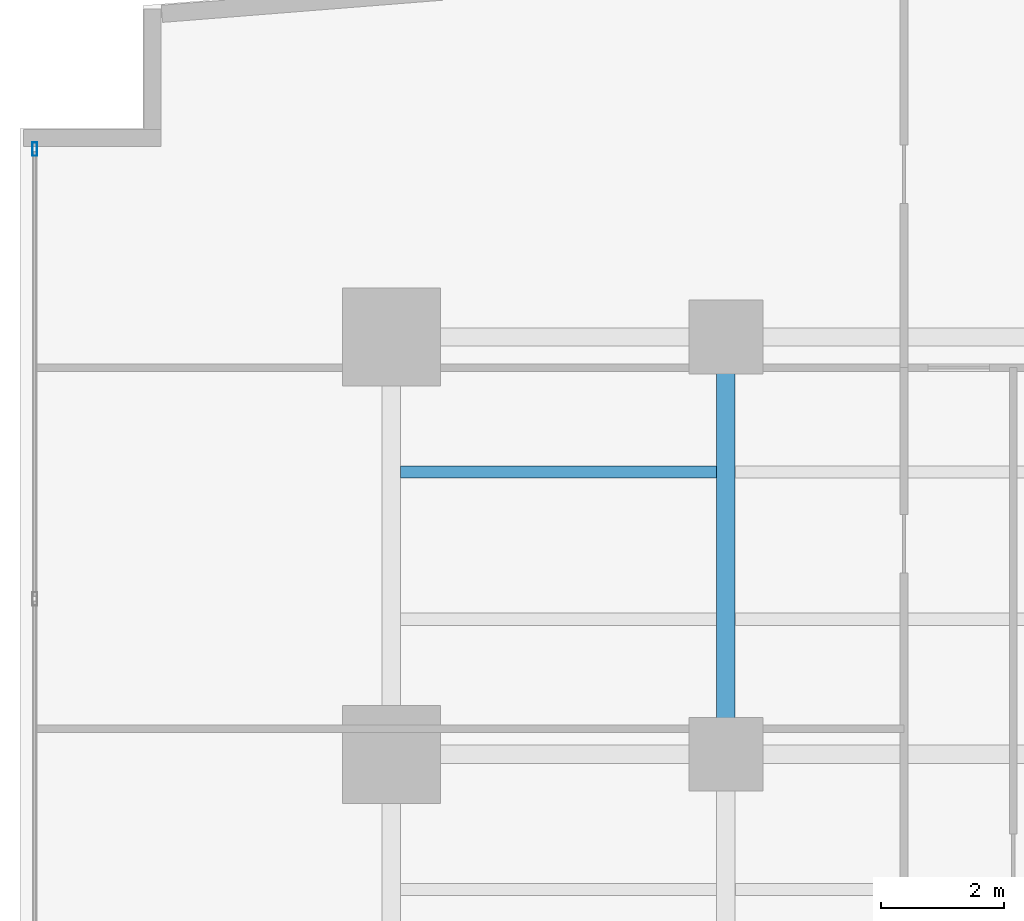
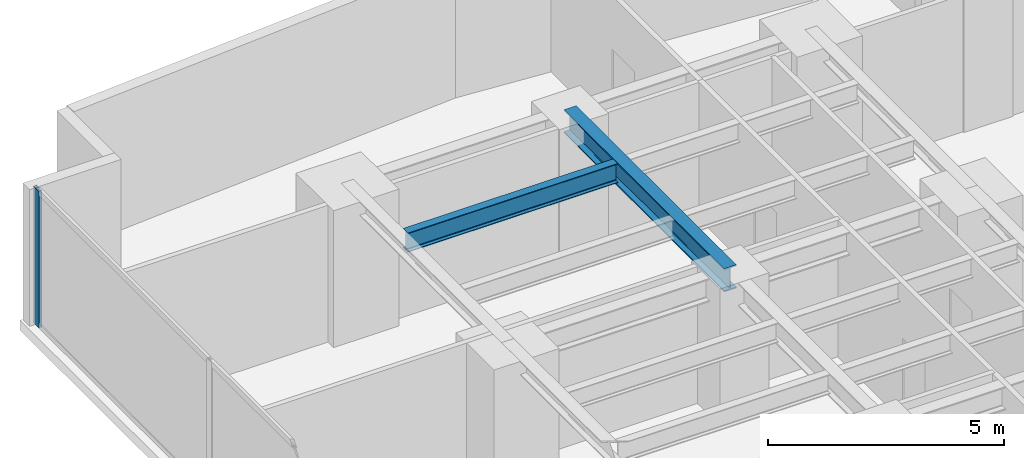
# One storey, part 17 of 28: 2 beams, 1 member, 1 element without a shape of its own.
"""IFC4 building model written with IfcOpenShell, lengths in metres."""

import ifcopenshell
import ifcopenshell.guid

model = None  # the IFC model being written
_history = None  # IfcOwnerHistory: only IFC2X3 demands one
_inside = {}  # id of a spatial element -> (the spatial element, [elements in it])
_under = {}  # id of a project, library or spatial element -> (it, [spatial elements below it])
_declared = {}  # id of a project -> (the project, [libraries it declares])
_typed = {}  # id of a type object -> (the type object, [elements of that type])
_made_of = {}  # id of a material, layer set ... -> (it, [elements and type objects made of it])


def new_model(schema):
    """Start an empty IFC model of exactly this schema.

    Asked for "IFC4X3", IfcOpenShell would pick the latest addendum, in which some entities
    have other attributes; the version numbers below select the first issue.
    IFC2X3 requires an IfcOwnerHistory on every rooted entity: one is made here for all.
    """
    global model, _history
    if schema == "IFC4X3":
        model = ifcopenshell.file(schema_version=(4, 3, 0, 0))
    else:
        model = ifcopenshell.file(schema=schema)
    _inside.clear()
    _under.clear()
    _declared.clear()
    _typed.clear()
    _made_of.clear()
    _history = None
    if model.schema == "IFC2X3":
        org = make("IfcOrganization", Name="unknown")
        user = make(
            "IfcPersonAndOrganization",
            ThePerson=make("IfcPerson", FamilyName="unknown"),
            TheOrganization=org,
        )
        app = make(
            "IfcApplication",
            ApplicationDeveloper=org,
            Version="unknown",
            ApplicationFullName="unknown",
            ApplicationIdentifier="unknown",
        )
        _history = make(
            "IfcOwnerHistory",
            OwningUser=user,
            OwningApplication=app,
            ChangeAction="ADDED",
            CreationDate=0,
        )
    return model


def make(cls, **values):
    """One entity of the class cls with the attributes given. An attribute that is None is left unset."""
    return model.create_entity(
        cls, **{name: value for name, value in values.items() if value is not None}
    )


def rooted(cls, **values):
    """An entity with a GlobalId (a new one), such as an element, a storey or a relation."""
    return make(cls, GlobalId=ifcopenshell.guid.new(), OwnerHistory=_history, **values)


def si_unit(unit_type, name, prefix=None):
    """IfcSIUnit, for example si_unit("LENGTHUNIT", "METRE", prefix="MILLI")."""
    return make("IfcSIUnit", UnitType=unit_type, Prefix=prefix, Name=name)


def assignment(units):
    """IfcUnitAssignment: the units of a project."""
    return None if units is None else make("IfcUnitAssignment", Units=units)


def point(xyz):
    """IfcCartesianPoint."""
    return None if xyz is None else make("IfcCartesianPoint", Coordinates=xyz)


def direction(xyz):
    """IfcDirection."""
    return None if xyz is None else make("IfcDirection", DirectionRatios=xyz)


def frame(location, z_axis=None, x_axis=None):
    """IfcAxis2Placement3D, a coordinate frame: its origin and axes. An axis left out is left unset."""
    return make(
        "IfcAxis2Placement3D",
        Location=point(location),
        Axis=direction(z_axis),
        RefDirection=direction(x_axis),
    )


def frame_2d(location, x_axis=None):
    """IfcAxis2Placement2D, a coordinate frame in the plane: its origin and x axis."""
    return make(
        "IfcAxis2Placement2D", Location=point(location), RefDirection=direction(x_axis)
    )


def origin():
    """The frame at (0, 0, 0) with its axes left unset."""
    return frame((0.0, 0.0, 0.0))


def origin_with_axes():
    """The frame at (0, 0, 0) with the z axis (0, 0, 1) and the x axis (1, 0, 0) written out."""
    return frame((0.0, 0.0, 0.0), z_axis=(0.0, 0.0, 1.0), x_axis=(1.0, 0.0, 0.0))


def origin_2d():
    """The frame at (0, 0) in the plane with its x axis left unset."""
    return frame_2d((0.0, 0.0))


def place(relative_to, where):
    """IfcLocalPlacement: puts the frame where relative to a parent placement (None: the world)."""
    return make(
        "IfcLocalPlacement", PlacementRelTo=relative_to, RelativePlacement=where
    )


def context(
    kind, dimensions, precision=None, world=None, true_north=None, identifier=None
):
    """IfcGeometricRepresentationContext, for example the 3D "Model" context."""
    return make(
        "IfcGeometricRepresentationContext",
        ContextIdentifier=identifier,
        ContextType=kind,
        CoordinateSpaceDimension=dimensions,
        Precision=precision,
        WorldCoordinateSystem=world,
        TrueNorth=true_north,
    )


def subcontext(parent, identifier, kind, view, scale=None):
    """IfcGeometricRepresentationSubContext, for example "Body" below "Model"."""
    return make(
        "IfcGeometricRepresentationSubContext",
        ContextIdentifier=identifier,
        ContextType=kind,
        ParentContext=parent,
        TargetScale=scale,
        TargetView=view,
    )


def project(units=None, contexts=None):
    """IfcProject with its units and contexts."""
    return rooted(
        "IfcProject",
        Name="project",
        RepresentationContexts=contexts,
        UnitsInContext=assignment(units),
    )


def spatial(cls, under=None, at=None, **own):
    """A site, building, storey or space (cls), placed at a placement, below another one or the project."""
    s = rooted(cls, ObjectPlacement=at, **own)
    if under is not None:
        _under.setdefault(under.id(), (under, []))[1].append(s)
    return s


def profile(cls, at=None, kind="AREA", **sizes):
    """A parametric profile (cls). Its sizes go by their IFC names, for example OverallWidth=200.0."""
    return make(cls, ProfileType=kind, Position=at, **sizes)


def hollow_rectangle(**sizes):
    """IfcRectangleHollowProfileDef."""
    return profile("IfcRectangleHollowProfileDef", **sizes)


def i_section(**sizes):
    """IfcIShapeProfileDef."""
    return profile("IfcIShapeProfileDef", **sizes)


def extrude(swept, where, along, depth):
    """IfcExtrudedAreaSolid: the profile swept, set in the frame where, extruded along a direction by depth."""
    return make(
        "IfcExtrudedAreaSolid",
        SweptArea=swept,
        Position=where,
        ExtrudedDirection=direction(along),
        Depth=depth,
    )


def shape(context_of_items, identifier, shape_type, items):
    """IfcShapeRepresentation: the items that make up one representation, for example the "Body"."""
    return make(
        "IfcShapeRepresentation",
        ContextOfItems=context_of_items,
        RepresentationIdentifier=identifier,
        RepresentationType=shape_type,
        Items=items,
    )


def source(mapping_origin, context_of_items, identifier, shape_type, items):
    """IfcRepresentationMap: a shape defined once, which mapped items show again and again."""
    return make(
        "IfcRepresentationMap",
        MappingOrigin=mapping_origin,
        MappedRepresentation=shape(context_of_items, identifier, shape_type, items),
    )


def transform(
    local_origin,
    x_axis=None,
    y_axis=None,
    z_axis=None,
    scale=None,
    scale2=None,
    scale3=None,
    uniform=True,
):
    """IfcCartesianTransformationOperator3D, or its non-uniform kind. x_axis, y_axis, z_axis: its Axis1, 2, 3."""
    if uniform:
        return make(
            "IfcCartesianTransformationOperator3D",
            Axis1=direction(x_axis),
            Axis2=direction(y_axis),
            LocalOrigin=point(local_origin),
            Scale=scale,
            Axis3=direction(z_axis),
        )
    return make(
        "IfcCartesianTransformationOperator3DnonUniform",
        Axis1=direction(x_axis),
        Axis2=direction(y_axis),
        LocalOrigin=point(local_origin),
        Scale=scale,
        Axis3=direction(z_axis),
        Scale2=scale2,
        Scale3=scale3,
    )


def mapped(mapping_source, mapping_target):
    """IfcMappedItem: shows the shape of a source again, moved by a transform."""
    return make(
        "IfcMappedItem", MappingSource=mapping_source, MappingTarget=mapping_target
    )


def material(Name=None, Category=None):
    """IfcMaterial."""
    return make("IfcMaterial", Name=Name, Category=Category)


def layer(
    of_material, thickness, ventilated=None, Name=None, Category=None, Priority=None
):
    """IfcMaterialLayer: one layer of a wall or slab, of a material (None: an air gap)."""
    return make(
        "IfcMaterialLayer",
        Material=of_material,
        LayerThickness=thickness,
        IsVentilated=ventilated,
        Name=Name,
        Category=Category,
        Priority=Priority,
    )


def layer_set(layers, Name=None):
    """IfcMaterialLayerSet."""
    return make("IfcMaterialLayerSet", MaterialLayers=layers, LayerSetName=Name)


def material_profile(
    of_material, cross_section, Name=None, Category=None, Priority=None
):
    """IfcMaterialProfile: a cross section and its material."""
    return make(
        "IfcMaterialProfile",
        Name=Name,
        Material=of_material,
        Profile=cross_section,
        Priority=Priority,
        Category=Category,
    )


def profile_set(profiles, Name=None, composite=None):
    """IfcMaterialProfileSet."""
    return make(
        "IfcMaterialProfileSet",
        Name=Name,
        MaterialProfiles=profiles,
        CompositeProfile=composite,
    )


def made_of(thing, what):
    """Note that an element or type object is made of a material, layer set ...; save() writes the relation."""
    if what is not None:
        _made_of.setdefault(what.id(), (what, []))[1].append(thing)
    return thing


def type_object(cls, material=None, **own):
    """A type object (cls), such as IfcWallType, which elements share."""
    return made_of(rooted(cls, **own), material)


def element(
    cls,
    number,
    at=None,
    inside=None,
    cuts=None,
    type_object=None,
    material=None,
    context=None,
    identifier="Body",
    shape_type=None,
    held_by="IfcProductDefinitionShape",
    body=None,
    shapes=None,
    **own,
):
    """One element of the class cls, such as IfcWall. Its Tag is "e" and its number.

    at: its placement. inside: the storey or other place that contains it. cuts: it is an
    opening in that element (IfcRelVoidsElement). A single representation is given by context,
    identifier, shape_type and body (its items); several are given by shapes. held_by: the class
    of the entity that holds the representations. save() writes the other relations.
    """
    e = rooted(cls, Tag="e%d" % number, ObjectPlacement=at, **own)
    if body is not None:
        shapes = [shape(context, identifier, shape_type, body)]
    if shapes is not None:
        e.Representation = make(held_by, Representations=shapes)
    if inside is not None:
        _inside.setdefault(inside.id(), (inside, []))[1].append(e)
    if cuts is not None:
        rooted(
            "IfcRelVoidsElement", RelatingBuildingElement=cuts, RelatedOpeningElement=e
        )
    if type_object is not None:
        _typed.setdefault(type_object.id(), (type_object, []))[1].append(e)
    return made_of(e, material)


def aggregate(whole, parts):
    """IfcRelAggregates: a whole, such as a stair, and the parts it consists of."""
    return rooted("IfcRelAggregates", RelatingObject=whole, RelatedObjects=parts)


def save(model, path):
    """Write the relations noted so far, then the file.

    IfcRelAggregates (storeys below a building ...), IfcRelContainedInSpatialStructure (elements
    in a storey), IfcRelDefinesByType, IfcRelAssociatesMaterial and IfcRelDeclares: one each for
    every whole, place, type object, material and project.
    """
    for whole, parts in _under.values():
        aggregate(whole, parts)
    for where, things in _inside.values():
        rooted(
            "IfcRelContainedInSpatialStructure",
            RelatedElements=things,
            RelatingStructure=where,
        )
    for kind, things in _typed.values():
        rooted("IfcRelDefinesByType", RelatedObjects=things, RelatingType=kind)
    for what, things in _made_of.values():
        rooted("IfcRelAssociatesMaterial", RelatedObjects=things, RelatingMaterial=what)
    for by, libraries in _declared.values():
        rooted("IfcRelDeclares", RelatingContext=by, RelatedDefinitions=libraries)
    model.write(path)


model = new_model("IFC4")

# Units and contexts
model_context = context("Model", 3, precision=1e-05, world=origin(), true_north=direction((0.0, 1.0)))
body_context = subcontext(model_context, "Body", "Model", "MODEL_VIEW")
ifc_project = project(units=[si_unit("LENGTHUNIT", "METRE"), si_unit("AREAUNIT", "SQUARE_METRE"), si_unit("VOLUMEUNIT", "CUBIC_METRE"), si_unit("PLANEANGLEUNIT", "RADIAN"), si_unit("MASSUNIT", "GRAM", prefix="KILO")], contexts=[model_context])

# Site, building, storey
site_placement = place(None, origin())
site = spatial("IfcSite", under=ifc_project, at=site_placement, CompositionType="ELEMENT")
building_placement = place(site_placement, origin())
building = spatial("IfcBuilding", under=site, at=building_placement, Name="Kolvaren Waterfront Exchange", CompositionType="ELEMENT")
storey_placement = place(building_placement, frame((0.0, 0.0, 56.199951171875)))
storey = spatial("IfcBuildingStorey", under=building, at=storey_placement, Name="L14", CompositionType="ELEMENT", Elevation=56.199951171875)

# Beams
ifc_material_1 = material(Name="Steel S355", Category="steel")
ifc_material_profile_1 = material_profile(ifc_material_1, i_section(OverallWidth=0.300048828125, OverallDepth=0.60009765625, WebThickness=0.015380859375, FlangeThickness=0.030029296875, FilletRadius=0.027099609375, at=origin_2d()), Name="HEB600")
ifc_profile_set_1 = profile_set([ifc_material_profile_1], Name="Steel S355")
beam_type_1 = type_object("IfcBeamType", Name="STR-BM-HEB600", PredefinedType="BEAM", material=ifc_profile_set_1)
beam_1_placement = place(storey_placement, frame((12.89990234375, 37.800048828125, 3.239990234375), z_axis=(0.0, 1.0, 0.0), x_axis=(-1.0, 0.0, 0.0)))
element("IfcBeam", 1, at=beam_1_placement, inside=storey, type_object=beam_type_1, Name="L14 north-arm edge beam 3", PredefinedType="BEAM", context=body_context, shape_type="SweptSolid", body=[
    extrude(i_section(OverallWidth=0.300048828125, OverallDepth=0.60009765625, WebThickness=0.015380859375, FlangeThickness=0.030029296875, FilletRadius=0.027099609375, at=origin_2d()), origin(), (0.0, 0.0, 1.0), 6.800048828125),
])
ifc_material_profile_2 = material_profile(ifc_material_1, i_section(OverallWidth=0.199951171875, OverallDepth=0.5, WebThickness=0.01025390625, FlangeThickness=0.01611328125, FilletRadius=0.02099609375, at=origin_2d()), Name="IPE500")
ifc_profile_set_2 = profile_set([ifc_material_profile_2], Name="Steel S355")
beam_type_2 = type_object("IfcBeamType", Name="STR-BM-IPE500", PredefinedType="JOIST", material=ifc_profile_set_2)
beam_2_placement = place(storey_placement, frame((7.60205078125, 42.39990234375, 3.2900390625), z_axis=(1.0, 0.0, 0.0), x_axis=(0.0, 1.0, 0.0)))
element("IfcBeam", 2, at=beam_2_placement, inside=storey, type_object=beam_type_2, Name="L14 north-arm composite joist 6A", PredefinedType="JOIST", context=body_context, shape_type="SweptSolid", body=[
    extrude(i_section(OverallWidth=0.199951171875, OverallDepth=0.5, WebThickness=0.01025390625, FlangeThickness=0.01611328125, FilletRadius=0.02099609375, at=origin_2d()), origin(), (0.0, 0.0, 1.0), 5.14599609375),
])

# Curtain wall, member
ifc_material_2 = material(Name="Anodised aluminium 6063-T6", Category="aluminium")
ifc_layer = layer(ifc_material_2, 0.219970703125, Name="Anodised aluminium 6063-T6")
ifc_layer_set = layer_set([ifc_layer], Name="Anodised aluminium 6063-T6")
curtain_wall_type = type_object("IfcCurtainWallType", Name="ARC-CW-SYS2", PredefinedType="USERDEFINED", material=ifc_layer_set)
curtain_wall_placement = place(storey_placement, origin())
curtain_wall = element("IfcCurtainWall", 3, at=curtain_wall_placement, inside=storey, type_object=curtain_wall_type, Name="L14 stick curtain wall CW2 (CW-L14-W)", ObjectType="STICK CURTAIN WALL", PredefinedType="USERDEFINED")
ifc_material_profile_3 = material_profile(ifc_material_2, hollow_rectangle(XDim=0.080078125, YDim=0.219970703125, WallThickness=0.0048828125, at=origin_2d()), Name="ALU-MUL-220x80x5")
ifc_profile_set_3 = profile_set([ifc_material_profile_3], Name="Anodised aluminium 6063-T6")
member_type = type_object("IfcMemberType", Name="ARC-CWM-220", PredefinedType="MULLION", material=ifc_profile_set_3)
shared_shape = source(origin_with_axes(), body_context, "Body", "SweptSolid", [
    extrude(hollow_rectangle(XDim=0.080078125, YDim=0.219970703125, WallThickness=0.0048828125, at=origin_2d()), origin(), (0.0, 0.0, 1.0), 3.5400390625),
])
member_placement = place(storey_placement, frame((1.639892578125, 47.659912109375, 0.0), z_axis=(0.0, 0.0, 1.0), x_axis=(-1.0, 0.0, 0.0)))
member = element("IfcMember", 4, at=member_placement, type_object=member_type, Name="CW2 mullion 7", PredefinedType="MULLION", context=body_context, shape_type="MappedRepresentation", body=[
    mapped(shared_shape, transform((0.0, 0.0, 0.0), x_axis=(1.0, 0.0, 0.0), y_axis=(0.0, 1.0, 0.0), z_axis=(0.0, 0.0, 1.0), scale=1.0)),
])
aggregate(curtain_wall, [member])

save(model, "model.ifc")
